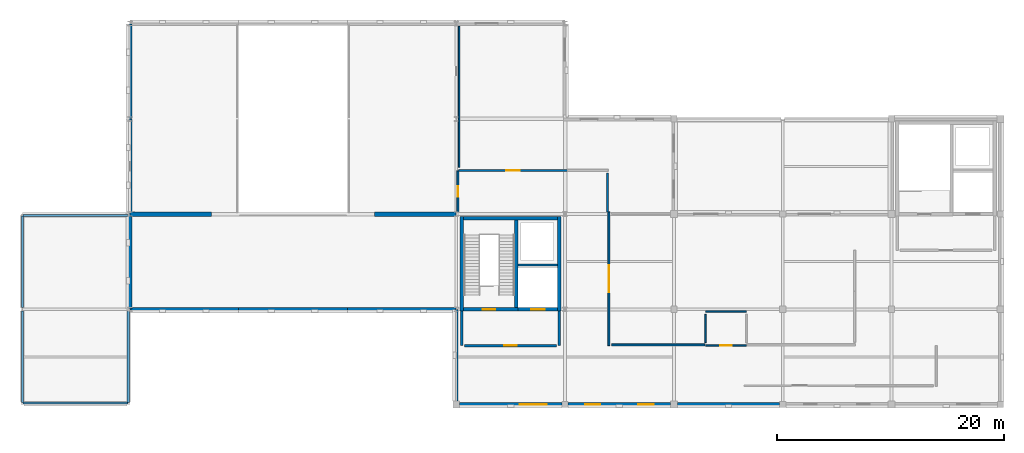
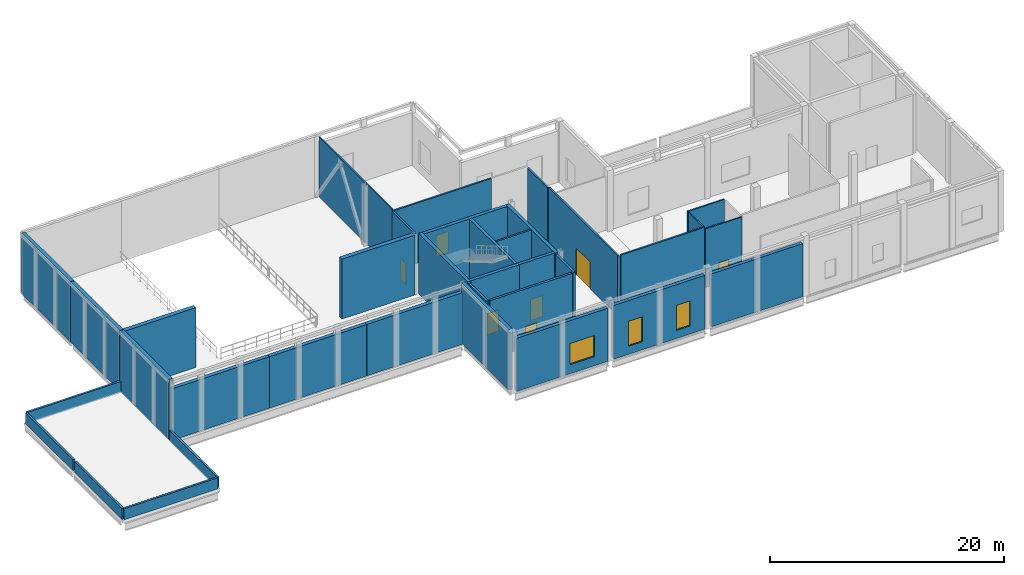
# One storey, part 5 of 9: 36 walls, 7 doors, 3 windows, 10 openings.
"""IFC4 building model written with IfcOpenShell, lengths in metres."""

from ifc_helpers import new_model, si_unit, direction, frame, frame_2d, origin, place, context, subcontext, project, spatial, rectangle, extrude, material, layer, layer_set, type_object, element, fill, save


model = new_model("IFC4")

# Units and contexts
model_context = context("Model", 3, precision=1e-05, world=origin(), true_north=direction((0.0, 1.0)))
body_context = subcontext(model_context, "Body", "Model", "MODEL_VIEW")
ifc_project = project(units=[si_unit("LENGTHUNIT", "METRE"), si_unit("AREAUNIT", "SQUARE_METRE"), si_unit("VOLUMEUNIT", "CUBIC_METRE"), si_unit("PLANEANGLEUNIT", "RADIAN"), si_unit("MASSUNIT", "GRAM", prefix="KILO")], contexts=[model_context])

# Site, building, storey
site_placement = place(None, origin())
site = spatial("IfcSite", under=ifc_project, at=site_placement, CompositionType="ELEMENT")
building_placement = place(site_placement, origin())
building = spatial("IfcBuilding", under=site, at=building_placement, Name="Lornevale Opera House", CompositionType="ELEMENT")
storey_placement = place(building_placement, frame((0.0, 0.0, 24.60009765625)))
storey = spatial("IfcBuildingStorey", under=building, at=storey_placement, Name="L06", CompositionType="ELEMENT", Elevation=24.60009765625)

# Wall
ifc_material_1 = material(Name="Queenston Buff Limestone Ashlar Masonry (25 MPa)", Category="masonry")
ifc_layer_1 = layer(ifc_material_1, 0.324951171875)
ifc_layer_set_1 = layer_set([ifc_layer_1], Name="Queenston Buff Limestone Ashlar Masonry (25 MPa)")
wall_type_1 = type_object("IfcWallType", Name="Backstage Limestone Facade Wall 325", PredefinedType="SOLIDWALL", material=ifc_layer_set_1)
wall_1_placement = place(storey_placement, frame((124.52490234375, 50.39990234375, 0.0), z_axis=(0.0, 0.0, 1.0), x_axis=(-1.0, 0.0, 0.0)))
element("IfcWall", 1, at=wall_1_placement, inside=storey, type_object=wall_type_1, Name="Backstage Limestone Facade Wall 325 WL-EXT-0310", PredefinedType="SOLIDWALL", context=body_context, shape_type="SweptSolid", body=[
    extrude(rectangle(XDim=9.02490234375, YDim=0.324951171875, at=frame_2d((4.512451171875, 0.0))), origin(), (0.0, 0.0, 1.0), 5.52880859375),
])

# Wall, opening, door
ifc_material_2 = material(Name="Concrete 40 MPa (CSA A23.1 C-1)", Category="concrete")
ifc_layer_2 = layer(ifc_material_2, 0.320068359375)
ifc_layer_set_2 = layer_set([ifc_layer_2], Name="Concrete 40 MPa (CSA A23.1 C-1)")
wall_type_2 = type_object("IfcWallType", Name="Core Shear Wall 320", PredefinedType="SHEAR", material=ifc_layer_set_2)
wall_2_placement = place(storey_placement, frame((96.659912109375, 58.800048828125, 0.0), z_axis=(0.0, 0.0, 1.0), x_axis=(1.0, 0.0, 0.0)))
wall_2 = element("IfcWall", 2, at=wall_2_placement, inside=storey, type_object=wall_type_2, Name="Stagehouse Firefighter Core West Core Shear Wall 320 WL-COR-0246", PredefinedType="SHEAR", context=body_context, shape_type="SweptSolid", body=[
    extrude(rectangle(XDim=4.780029296875, YDim=0.320068359375, at=frame_2d((2.39013671875, 0.0))), origin(), (0.0, 0.0, 1.0), 6.2998046875),
])
opening_1_placement = place(wall_2_placement, frame((1.68994140625, 0.0, 0.0)))
opening_1 = element("IfcOpeningElement", 3, at=opening_1_placement, cuts=wall_2, Name="Opening DR-T11", PredefinedType="OPENING", context=body_context, shape_type="SweptSolid", body=[
    extrude(rectangle(XDim=1.10009765625, YDim=2.199951171875, at=frame_2d((0.550048828125, 1.10009765625))), frame((0.0, 0.169921875, 0.0), z_axis=(0.0, -1.0, 0.0), x_axis=(1.0, 0.0, 0.0)), (0.0, 0.0, 1.0), 0.340087890625),
])
ifc_material_3 = material(Name="Painted Hollow Metal Door Steel", Category="steel")
ifc_layer_3 = layer(ifc_material_3, 2.199951171875)
ifc_layer_set_3 = layer_set([ifc_layer_3], Name="Painted Hollow Metal Door Steel")
door_type_1 = type_object("IfcDoorType", Name="Protected Exit Stair Door R 1100x2200", OperationType="NOTDEFINED", PredefinedType="DOOR", material=ifc_layer_set_3)
door_1_placement = place(opening_1_placement, origin())
door_1 = element("IfcDoor", 4, at=door_1_placement, inside=storey, type_object=door_type_1, Name="C6 Stair Door L06", OperationType="SINGLE_SWING_RIGHT", OverallHeight=2.199951171875, OverallWidth=1.10009765625, PredefinedType="DOOR", context=body_context, shape_type="SweptSolid", body=[
    extrude(rectangle(XDim=1.10009765625, YDim=2.199951171875, at=frame_2d((0.550048828125, 1.10009765625))), frame((0.0, 0.02490234375, 0.0), z_axis=(0.0, -1.0, 0.0), x_axis=(1.0, 0.0, 0.0)), (0.0, 0.0, 1.0), 0.050048828125),
])
fill(opening_1, door_1)

# Walls
wall_3_placement = place(storey_placement, frame((104.93994140625, 66.840087890625, 0.0), z_axis=(0.0, 0.0, 1.0), x_axis=(-1.0, 0.0, 0.0)))
element("IfcWall", 5, at=wall_3_placement, inside=storey, type_object=wall_type_2, Name="Stagehouse Firefighter Core West Core Shear Wall 320 WL-COR-0248", PredefinedType="SHEAR", context=body_context, shape_type="SweptSolid", body=[
    extrude(rectangle(XDim=8.280029296875, YDim=0.320068359375, at=frame_2d((4.14013671875, 0.0))), origin(), (0.0, 0.0, 1.0), 6.2998046875),
])
for number, where, z_axis, x_axis, name in (
    (6, (96.5, 67.0, 0.0), (0.0, 0.0, 1.0), (0.0, -1.0, 0.0), "Stagehouse Firefighter Core West Core Shear Wall 320 WL-COR-0249"),
    (7, (105.10009765625, 58.639892578125, 0.0), (0.0, 0.0, 1.0), (0.0, 1.0, 0.0), "Stagehouse Firefighter Core West Core Shear Wall 320 WL-COR-0250"),
):
    element("IfcWall", number, at=place(storey_placement, frame(where, z_axis=z_axis, x_axis=x_axis)), inside=storey, type_object=wall_type_2, Name=name, PredefinedType="SHEAR", context=body_context, shape_type="SweptSolid", body=[
        extrude(rectangle(XDim=8.360107421875, YDim=0.320068359375, at=frame_2d((4.18017578125, 0.0))), origin(), (0.0, 0.0, 1.0), 6.2998046875),
    ])

# Wall, opening, door
ifc_material_4 = material(Name="Acoustic Mineral-Core Gypsum Partition", Category="gypsum")
ifc_layer_4 = layer(ifc_material_4, 0.1650390625)
ifc_layer_set_4 = layer_set([ifc_layer_4], Name="Acoustic Mineral-Core Gypsum Partition")
wall_type_3 = type_object("IfcWallType", Name="Corridor Rated Partition 165", PredefinedType="PARTITIONING", material=ifc_layer_set_4)
wall_4_placement = place(storey_placement, frame((96.139892578125, 67.39990234375, 0.0), z_axis=(0.0, 0.0, 1.0), x_axis=(0.0, 1.0, 0.0)))
wall_4 = element("IfcWall", 8, at=wall_4_placement, inside=storey, type_object=wall_type_3, Name="L06 Partition WL-INT-0905", PredefinedType="PARTITIONING", context=body_context, shape_type="SweptSolid", body=[
    extrude(rectangle(XDim=3.60009765625, YDim=0.1650390625, at=frame_2d((1.800048828125, 0.0))), origin(), (0.0, 0.0, 1.0), 6.25),
])
opening_2_placement = place(wall_4_placement, frame((1.324951171875, 0.0, 0.0)))
opening_2 = element("IfcOpeningElement", 9, at=opening_2_placement, cuts=wall_4, Name="Opening DR-T20", PredefinedType="OPENING", context=body_context, shape_type="SweptSolid", body=[
    extrude(rectangle(XDim=0.949951171875, YDim=2.14990234375, at=frame_2d((0.47509765625, 1.074951171875))), frame((0.0, 0.092529296875, 0.0), z_axis=(0.0, -1.0, 0.0), x_axis=(1.0, 0.0, 0.0)), (0.0, 0.0, 1.0), 0.18505859375),
])
ifc_material_5 = material(Name="White Oak Acoustic Panelling", Category="wood")
ifc_layer_5 = layer(ifc_material_5, 2.14990234375)
ifc_layer_set_5 = layer_set([ifc_layer_5], Name="White Oak Acoustic Panelling")
door_type_2 = type_object("IfcDoorType", Name="Soloist Dressing Door R 950x2150", OperationType="NOTDEFINED", PredefinedType="DOOR", material=ifc_layer_set_5)
door_2_placement = place(opening_2_placement, origin())
door_2 = element("IfcDoor", 10, at=door_2_placement, inside=storey, type_object=door_type_2, Name="Fly Tower Gridiron & Winch Gallery Door", OperationType="SINGLE_SWING_RIGHT", OverallHeight=2.14990234375, OverallWidth=0.949951171875, PredefinedType="DOOR", context=body_context, shape_type="SweptSolid", body=[
    extrude(rectangle(XDim=0.949951171875, YDim=2.14990234375, at=frame_2d((0.47509765625, 1.074951171875))), frame((0.0, 0.02490234375, 0.0), z_axis=(0.0, -1.0, 0.0), x_axis=(1.0, 0.0, 0.0)), (0.0, 0.0, 1.0), 0.050048828125),
])
fill(opening_2, door_2)

wall_5_placement = place(storey_placement, frame((109.4599609375, 55.60009765625, 0.0), z_axis=(0.0, 0.0, 1.0), x_axis=(0.0, 1.0, 0.0)))
wall_5 = element("IfcWall", 11, at=wall_5_placement, inside=storey, type_object=wall_type_3, Name="L06 Partition WL-INT-0906", PredefinedType="PARTITIONING", context=body_context, shape_type="SweptSolid", body=[
    extrude(rectangle(XDim=11.7998046875, YDim=0.1650390625, at=frame_2d((5.89990234375, 0.0))), origin(), (0.0, 0.0, 1.0), 6.27978515625),
])
opening_3_placement = place(wall_5_placement, frame((4.699951171875, 0.0, 0.0)))
opening_3 = element("IfcOpeningElement", 12, at=opening_3_placement, cuts=wall_5, Name="Opening DR-T16", PredefinedType="OPENING", context=body_context, shape_type="SweptSolid", body=[
    extrude(rectangle(XDim=2.39990234375, YDim=2.800048828125, at=frame_2d((1.199951171875, 1.39990234375))), frame((0.0, 0.092529296875, 0.0), z_axis=(0.0, -1.0, 0.0), x_axis=(1.0, 0.0, 0.0)), (0.0, 0.0, 1.0), 0.18505859375),
])
ifc_layer_6 = layer(ifc_material_3, 2.800048828125)
ifc_layer_set_6 = layer_set([ifc_layer_6], Name="Painted Hollow Metal Door Steel")
door_type_3 = type_object("IfcDoorType", Name="Stage Scenery Double Door 2400x2800", OperationType="NOTDEFINED", PredefinedType="DOOR", material=ifc_layer_set_6)
door_3_placement = place(opening_3_placement, origin())
door_3 = element("IfcDoor", 13, at=door_3_placement, inside=storey, type_object=door_type_3, Name="Stagehouse Smoke-Exhaust AHU Plant Door", OperationType="DOUBLE_SWING_LEFT", OverallHeight=2.800048828125, OverallWidth=2.39990234375, PredefinedType="DOOR", context=body_context, shape_type="SweptSolid", body=[
    extrude(rectangle(XDim=2.39990234375, YDim=2.800048828125, at=frame_2d((1.199951171875, 1.39990234375))), frame((0.0, 0.02490234375, 0.0), z_axis=(0.0, -1.0, 0.0), x_axis=(1.0, 0.0, 0.0)), (0.0, 0.0, 1.0), 0.050048828125),
])
fill(opening_3, door_3)

# Wall
wall_6_placement = place(storey_placement, frame((109.7099609375, 55.659912109375, 0.0), z_axis=(0.0, 0.0, 1.0), x_axis=(1.0, 0.0, 0.0)))
element("IfcWall", 14, at=wall_6_placement, inside=storey, type_object=wall_type_3, Name="L06 Partition WL-INT-0907", PredefinedType="PARTITIONING", context=body_context, shape_type="SweptSolid", body=[
    extrude(rectangle(XDim=8.22998046875, YDim=0.1650390625, at=frame_2d((4.114990234375, 0.0))), origin(), (0.0, 0.0, 1.0), 6.27978515625),
])

# Wall, opening, door
wall_7_placement = place(storey_placement, frame((96.199951171875, 71.06005859375, 0.0), z_axis=(0.0, 0.0, 1.0), x_axis=(1.0, 0.0, 0.0)))
wall_7 = element("IfcWall", 15, at=wall_7_placement, inside=storey, type_object=wall_type_3, Name="L06 Partition WL-INT-0915", PredefinedType="PARTITIONING", context=body_context, shape_type="SweptSolid", body=[
    extrude(rectangle(XDim=9.60009765625, YDim=0.1650390625, at=frame_2d((4.800048828125, 0.0))), origin(), (0.0, 0.0, 1.0), 6.27978515625),
])
opening_4_placement = place(wall_7_placement, frame((4.199951171875, 0.0, 0.0)))
opening_4 = element("IfcOpeningElement", 16, at=opening_4_placement, cuts=wall_7, Name="Opening DR-T24", PredefinedType="OPENING", context=body_context, shape_type="SweptSolid", body=[
    extrude(rectangle(XDim=1.199951171875, YDim=2.199951171875, at=frame_2d((0.60009765625, 1.10009765625))), frame((0.0, 0.092529296875, 0.0), z_axis=(0.0, -1.0, 0.0), x_axis=(1.0, 0.0, 0.0)), (0.0, 0.0, 1.0), 0.18505859375),
])
ifc_layer_7 = layer(ifc_material_3, 2.199951171875)
ifc_layer_set_7 = layer_set([ifc_layer_7], Name="Painted Hollow Metal Door Steel")
door_type_4 = type_object("IfcDoorType", Name="Plant Room Rated Door R 1200x2200", OperationType="NOTDEFINED", PredefinedType="DOOR", material=ifc_layer_set_7)
door_4_placement = place(opening_4_placement, origin())
door_4 = element("IfcDoor", 17, at=door_4_placement, inside=storey, type_object=door_type_4, Name="Rigging Winch & Control Plant Door", OperationType="SINGLE_SWING_RIGHT", OverallHeight=2.199951171875, OverallWidth=1.199951171875, PredefinedType="DOOR", context=body_context, shape_type="SweptSolid", body=[
    extrude(rectangle(XDim=1.199951171875, YDim=2.199951171875, at=frame_2d((0.60009765625, 1.10009765625))), frame((0.0, 0.02490234375, 0.0), z_axis=(0.0, -1.0, 0.0), x_axis=(1.0, 0.0, 0.0)), (0.0, 0.0, 1.0), 0.050048828125),
])
fill(opening_4, door_4)

# Walls
wall_8_placement = place(storey_placement, frame((109.340087890625, 67.39990234375, 0.0), z_axis=(0.0, 0.0, 1.0), x_axis=(0.0, 1.0, 0.0)))
element("IfcWall", 18, at=wall_8_placement, inside=storey, type_object=wall_type_3, Name="L06 Partition WL-INT-0917", PredefinedType="PARTITIONING", context=body_context, shape_type="SweptSolid", body=[
    extrude(rectangle(XDim=3.41015625, YDim=0.1650390625, at=frame_2d((1.705078125, 0.0))), origin(), (0.0, 0.0, 1.0), 6.27978515625),
])
ifc_layer_8 = layer(ifc_material_4, 0.125)
ifc_layer_set_8 = layer_set([ifc_layer_8], Name="Acoustic Mineral-Core Gypsum Partition")
wall_type_4 = type_object("IfcWallType", Name="Dressing Suite Partition 125", PredefinedType="PARTITIONING", material=ifc_layer_set_8)
wall_9_placement = place(storey_placement, frame((96.260009765625, 71.31005859375, 0.0), z_axis=(0.0, 0.0, 1.0), x_axis=(0.0, 1.0, 0.0)))
element("IfcWall", 19, at=wall_9_placement, inside=storey, type_object=wall_type_4, Name="L06 Partition WL-INT-0918", PredefinedType="PARTITIONING", context=body_context, shape_type="SweptSolid", body=[
    extrude(rectangle(XDim=12.43994140625, YDim=0.125, at=frame_2d((6.219970703125, 0.0))), origin(), (0.0, 0.0, 1.0), 6.25),
])

# Wall, opening, door
ifc_layer_9 = layer(ifc_material_2, 0.280029296875)
ifc_layer_set_9 = layer_set([ifc_layer_9], Name="Concrete 40 MPa (CSA A23.1 C-1)")
wall_type_5 = type_object("IfcWallType", Name="Elevator Shaft Wall 280", PredefinedType="SHEAR", material=ifc_layer_set_9)
wall_10_placement = place(storey_placement, frame((101.43994140625, 58.800048828125, 0.0), z_axis=(0.0, 0.0, 1.0), x_axis=(1.0, 0.0, 0.0)))
wall_10 = element("IfcWall", 20, at=wall_10_placement, inside=storey, type_object=wall_type_5, Name="Stagehouse Firefighter Core West Elevator Shaft Wall 280 WL-COR-0247", PredefinedType="SHEAR", context=body_context, shape_type="SweptSolid", body=[
    extrude(rectangle(XDim=3.5, YDim=0.280029296875, at=frame_2d((1.75, 0.0))), origin(), (0.0, 0.0, 1.0), 6.2998046875),
])
opening_5_placement = place(wall_10_placement, frame((1.159912109375, 0.0, 0.0)))
opening_5 = element("IfcOpeningElement", 21, at=opening_5_placement, cuts=wall_10, Name="Opening DR-T26", PredefinedType="OPENING", context=body_context, shape_type="SweptSolid", body=[
    extrude(rectangle(XDim=1.199951171875, YDim=2.199951171875, at=frame_2d((0.60009765625, 1.10009765625))), frame((0.0, 0.14990234375, 0.0), z_axis=(0.0, -1.0, 0.0), x_axis=(1.0, 0.0, 0.0)), (0.0, 0.0, 1.0), 0.300048828125),
])
ifc_layer_10 = layer(ifc_material_3, 2.199951171875)
ifc_layer_set_10 = layer_set([ifc_layer_10], Name="Painted Hollow Metal Door Steel")
door_type_5 = type_object("IfcDoorType", Name="Firefighter Lift Landing Door 1200x2200", OperationType="NOTDEFINED", PredefinedType="DOOR", material=ifc_layer_set_10)
door_5_placement = place(opening_5_placement, origin())
door_5 = element("IfcDoor", 22, at=door_5_placement, inside=storey, type_object=door_type_5, Name="L-FF1 Landing Door L06", OperationType="SLIDING_TO_RIGHT", OverallHeight=2.199951171875, OverallWidth=1.199951171875, PredefinedType="DOOR", context=body_context, shape_type="SweptSolid", body=[
    extrude(rectangle(XDim=1.199951171875, YDim=2.199951171875, at=frame_2d((0.60009765625, 1.10009765625))), frame((0.0, 0.02490234375, 0.0), z_axis=(0.0, -1.0, 0.0), x_axis=(1.0, 0.0, 0.0)), (0.0, 0.0, 1.0), 0.050048828125),
])
fill(opening_5, door_5)

# Walls
wall_11_placement = place(storey_placement, frame((101.300048828125, 58.9599609375, 0.0), z_axis=(0.0, 0.0, 1.0), x_axis=(0.0, 1.0, 0.0)))
element("IfcWall", 23, at=wall_11_placement, inside=storey, type_object=wall_type_5, Name="Stagehouse Firefighter Core West Elevator Shaft Wall 280 WL-COR-0251", PredefinedType="SHEAR", context=body_context, shape_type="SweptSolid", body=[
    extrude(rectangle(XDim=7.719970703125, YDim=0.280029296875, at=frame_2d((3.85986328125, 0.0))), origin(), (0.0, 0.0, 1.0), 6.2998046875),
])
ifc_material_6 = material(Name="Concrete 35 MPa (CSA A23.1 N)", Category="concrete")
ifc_layer_11 = layer(ifc_material_6, 0.219970703125)
ifc_layer_set_11 = layer_set([ifc_layer_11], Name="Concrete 35 MPa (CSA A23.1 N)")
wall_type_6 = type_object("IfcWallType", Name="Firefighter Vestibule Wall 220", PredefinedType="SOLIDWALL", material=ifc_layer_set_11)
for number, where, z_axis, x_axis, name in (
    (24, (96.5, 55.60009765625, 0.0), (0.0, 0.0, 1.0), (0.0, 1.0, 0.0), "C6 Vestibule West Wall WL-INT-0418"),
    (25, (105.10009765625, 55.60009765625, 0.0), (0.0, 0.0, 1.0), (0.0, 1.0, 0.0), "C6 Vestibule East Wall WL-INT-0419"),
):
    element("IfcWall", number, at=place(storey_placement, frame(where, z_axis=z_axis, x_axis=x_axis)), inside=storey, type_object=wall_type_6, Name=name, PredefinedType="SOLIDWALL", context=body_context, shape_type="SweptSolid", body=[
        extrude(rectangle(XDim=3.039794921875, YDim=0.219970703125, at=frame_2d((1.52001953125, 0.0))), origin(), (0.0, 0.0, 1.0), 6.119873046875),
    ])

# Wall, opening, door
wall_12_placement = place(storey_placement, frame((96.75, 55.60009765625, 0.0), z_axis=(0.0, 0.0, 1.0), x_axis=(1.0, 0.0, 0.0)))
wall_12 = element("IfcWall", 26, at=wall_12_placement, inside=storey, type_object=wall_type_6, Name="C6 Vestibule South Wall WL-INT-0420", PredefinedType="SOLIDWALL", context=body_context, shape_type="SweptSolid", body=[
    extrude(rectangle(XDim=8.10009765625, YDim=0.219970703125, at=frame_2d((4.050048828125, 0.0))), origin(), (0.0, 0.0, 1.0), 6.119873046875),
])
opening_6_placement = place(wall_12_placement, frame((3.5, 0.0, 0.0)))
opening_6 = element("IfcOpeningElement", 27, at=opening_6_placement, cuts=wall_12, Name="Opening DR-T13", PredefinedType="OPENING", context=body_context, shape_type="SweptSolid", body=[
    extrude(rectangle(XDim=1.10009765625, YDim=2.199951171875, at=frame_2d((0.550048828125, 1.10009765625))), frame((0.0, 0.119873046875, 0.0), z_axis=(0.0, -1.0, 0.0), x_axis=(1.0, 0.0, 0.0)), (0.0, 0.0, 1.0), 0.239990234375),
])
ifc_layer_12 = layer(ifc_material_3, 2.199951171875)
ifc_layer_set_12 = layer_set([ifc_layer_12], Name="Painted Hollow Metal Door Steel")
door_type_6 = type_object("IfcDoorType", Name="Firefighter Vestibule Door 1100x2200", OperationType="NOTDEFINED", PredefinedType="DOOR", material=ifc_layer_set_12)
door_6_placement = place(opening_6_placement, origin())
door_6 = element("IfcDoor", 28, at=door_6_placement, inside=storey, type_object=door_type_6, Name="C6 Firefighter Vestibule Door L06", OperationType="SINGLE_SWING_LEFT", OverallHeight=2.199951171875, OverallWidth=1.10009765625, PredefinedType="DOOR", context=body_context, shape_type="SweptSolid", body=[
    extrude(rectangle(XDim=1.10009765625, YDim=2.199951171875, at=frame_2d((0.550048828125, 1.10009765625))), frame((0.0, 0.02490234375, 0.0), z_axis=(0.0, -1.0, 0.0), x_axis=(1.0, 0.0, 0.0)), (0.0, 0.0, 1.0), 0.050048828125),
])
fill(opening_6, door_6)

# Walls
ifc_material_7 = material(Name="Precast Concrete 40 MPa (CSA A23.1 C-1)", Category="concrete")
ifc_layer_13 = layer(ifc_material_7, 0.360107421875)
ifc_layer_set_13 = layer_set([ifc_layer_13], Name="Precast Concrete 40 MPa (CSA A23.1 C-1)")
wall_type_7 = type_object("IfcWallType", Name="Fly Tower Acoustic Precast Wall 360", PredefinedType="SOLIDWALL", material=ifc_layer_set_13)
wall_13_placement = place(storey_placement, frame((76.794921875, 58.800048828125, 0.0), z_axis=(0.0, 0.0, 1.0), x_axis=(-1.0, 0.0, 0.0)))
element("IfcWall", 29, at=wall_13_placement, inside=storey, type_object=wall_type_7, Name="Fly Tower Acoustic Precast Wall 360 WL-EXT-0294", PredefinedType="SOLIDWALL", context=body_context, shape_type="SweptSolid", body=[
    extrude(rectangle(XDim=9.574951171875, YDim=0.360107421875, at=frame_2d((4.78759765625, 0.0))), origin(), (0.0, 0.0, 1.0), 5.365966796875),
])
wall_14_placement = place(storey_placement, frame((67.199951171875, 58.820068359375, 0.0), z_axis=(0.0, 0.0, 1.0), x_axis=(0.0, 1.0, 0.0)))
element("IfcWall", 30, at=wall_14_placement, inside=storey, type_object=wall_type_7, Name="Fly Tower Acoustic Precast Wall 360 WL-EXT-0295", PredefinedType="SOLIDWALL", context=body_context, shape_type="SweptSolid", body=[
    extrude(rectangle(XDim=8.35986328125, YDim=0.360107421875, at=frame_2d((4.179931640625, 0.0))), origin(), (0.0, 0.0, 1.0), 6.309814453125),
])
wall_15_placement = place(storey_placement, frame((67.199951171875, 67.219970703125, 0.0), z_axis=(0.0, 0.0, 1.0), x_axis=(0.0, 1.0, 0.0)))
element("IfcWall", 31, at=wall_15_placement, inside=storey, type_object=wall_type_7, Name="Fly Tower Acoustic Precast Wall 360 WL-EXT-0296", PredefinedType="SOLIDWALL", context=body_context, shape_type="SweptSolid", body=[
    extrude(rectangle(XDim=8.360107421875, YDim=0.360107421875, at=frame_2d((4.18017578125, 0.0))), origin(), (0.0, 0.0, 1.0), 6.309814453125),
])
wall_16_placement = place(storey_placement, frame((67.199951171875, 75.6201171875, 0.0), z_axis=(0.0, 0.0, 1.0), x_axis=(0.0, 1.0, 0.0)))
element("IfcWall", 32, at=wall_16_placement, inside=storey, type_object=wall_type_7, Name="Fly Tower Acoustic Precast Wall 360 WL-EXT-0298", PredefinedType="SOLIDWALL", context=body_context, shape_type="SweptSolid", body=[
    extrude(rectangle(XDim=8.35986328125, YDim=0.360107421875, at=frame_2d((4.179931640625, 0.0))), origin(), (0.0, 0.0, 1.0), 6.309814453125),
])
wall_17_placement = place(storey_placement, frame((86.39501953125, 58.800048828125, 0.0), z_axis=(0.0, 0.0, 1.0), x_axis=(-1.0, 0.0, 0.0)))
element("IfcWall", 33, at=wall_17_placement, inside=storey, type_object=wall_type_7, Name="Fly Tower Acoustic Precast Wall 360 WL-EXT-0299", PredefinedType="SOLIDWALL", context=body_context, shape_type="SweptSolid", body=[
    extrude(rectangle(XDim=9.590087890625, YDim=0.360107421875, at=frame_2d((4.794921875, 0.0))), origin(), (0.0, 0.0, 1.0), 5.365966796875),
])
wall_18_placement = place(storey_placement, frame((95.97998046875, 58.800048828125, 0.0), z_axis=(0.0, 0.0, 1.0), x_axis=(-1.0, 0.0, 0.0)))
element("IfcWall", 34, at=wall_18_placement, inside=storey, type_object=wall_type_7, Name="Fly Tower Acoustic Precast Wall 360 WL-EXT-0301", PredefinedType="SOLIDWALL", context=body_context, shape_type="SweptSolid", body=[
    extrude(rectangle(XDim=9.574951171875, YDim=0.360107421875, at=frame_2d((4.78759765625, 0.0))), origin(), (0.0, 0.0, 1.0), 5.365966796875),
])
ifc_layer_14 = layer(ifc_material_7, 0.195068359375)
ifc_layer_set_14 = layer_set([ifc_layer_14], Name="Precast Concrete 40 MPa (CSA A23.1 C-1)")
wall_type_8 = type_object("IfcWallType", Name="Green Roof Parapet Wall 195", PredefinedType="PARAPET", material=ifc_layer_set_14)
wall_19_placement = place(storey_placement, frame((57.72998046875, 50.56005859375, 0.0), z_axis=(0.0, 0.0, 1.0), x_axis=(0.0, 1.0, 0.0)))
element("IfcWall", 35, at=wall_19_placement, inside=storey, type_object=wall_type_8, Name="Green Roof Parapet Wall 195 0482", PredefinedType="PARAPET", context=body_context, shape_type="SweptSolid", body=[
    extrude(rectangle(XDim=8.079833984375, YDim=0.195068359375, at=frame_2d((4.0400390625, 0.0))), origin(), (0.0, 0.0, 1.0), 1.14990234375),
])
wall_20_placement = place(storey_placement, frame((57.72998046875, 58.9599609375, 0.0), z_axis=(0.0, 0.0, 1.0), x_axis=(0.0, 1.0, 0.0)))
element("IfcWall", 36, at=wall_20_placement, inside=storey, type_object=wall_type_8, Name="Green Roof Parapet Wall 195 0483", PredefinedType="PARAPET", context=body_context, shape_type="SweptSolid", body=[
    extrude(rectangle(XDim=8.080078125, YDim=0.195068359375, at=frame_2d((4.0400390625, 0.0))), origin(), (0.0, 0.0, 1.0), 1.14990234375),
])
wall_21_placement = place(storey_placement, frame((57.760009765625, 67.070068359375, 0.0), z_axis=(0.0, 0.0, 1.0), x_axis=(1.0, 0.0, 0.0)))
element("IfcWall", 37, at=wall_21_placement, inside=storey, type_object=wall_type_8, Name="Green Roof Parapet Wall 195 0484", PredefinedType="PARAPET", context=body_context, shape_type="SweptSolid", body=[
    extrude(rectangle(XDim=9.280029296875, YDim=0.195068359375, at=frame_2d((4.64013671875, 0.0))), origin(), (0.0, 0.0, 1.0), 1.14990234375),
])
wall_22_placement = place(storey_placement, frame((67.070068359375, 58.639892578125, 0.0), z_axis=(0.0, 0.0, 1.0), x_axis=(0.0, -1.0, 0.0)))
element("IfcWall", 38, at=wall_22_placement, inside=storey, type_object=wall_type_8, Name="Green Roof Parapet Wall 195 0485", PredefinedType="PARAPET", context=body_context, shape_type="SweptSolid", body=[
    extrude(rectangle(XDim=8.079833984375, YDim=0.195068359375, at=frame_2d((4.0400390625, 0.0))), origin(), (0.0, 0.0, 1.0), 1.14990234375),
])
wall_23_placement = place(storey_placement, frame((67.0400390625, 50.530029296875, 0.0), z_axis=(0.0, 0.0, 1.0), x_axis=(-1.0, 0.0, 0.0)))
element("IfcWall", 39, at=wall_23_placement, inside=storey, type_object=wall_type_8, Name="Green Roof Parapet Wall 195 0486", PredefinedType="PARAPET", context=body_context, shape_type="SweptSolid", body=[
    extrude(rectangle(XDim=9.280029296875, YDim=0.195068359375, at=frame_2d((4.64013671875, 0.0))), origin(), (0.0, 0.0, 1.0), 1.14990234375),
])

# Wall, opening, window
ifc_material_8 = material(Name="Credit Valley Sandstone Ashlar Masonry (25 MPa)", Category="masonry")
ifc_layer_15 = layer(ifc_material_8, 0.340087890625)
ifc_layer_set_15 = layer_set([ifc_layer_15], Name="Credit Valley Sandstone Ashlar Masonry (25 MPa)")
wall_type_9 = type_object("IfcWallType", Name="Polychrome Drum Cavity Wall 340", PredefinedType="SOLIDWALL", material=ifc_layer_set_15)
wall_24_placement = place(storey_placement, frame((105.324951171875, 50.39990234375, 0.0), z_axis=(0.0, 0.0, 1.0), x_axis=(-1.0, 0.0, 0.0)))
wall_24 = element("IfcWall", 40, at=wall_24_placement, inside=storey, type_object=wall_type_9, Name="Polychrome Drum Cavity Wall 340 WL-EXT-0303", PredefinedType="SOLIDWALL", context=body_context, shape_type="SweptSolid", body=[
    extrude(rectangle(XDim=9.02490234375, YDim=0.340087890625, at=frame_2d((4.512451171875, 0.0))), origin(), (0.0, 0.0, 1.0), 5.52880859375),
])
opening_7_placement = place(wall_24_placement, frame((1.326904296875, 0.0, 0.949951171875)))
opening_7 = element("IfcOpeningElement", 41, at=opening_7_placement, cuts=wall_24, Name="Opening WN-T08", PredefinedType="OPENING", context=body_context, shape_type="SweptSolid", body=[
    extrude(rectangle(XDim=2.39990234375, YDim=2.199951171875, at=frame_2d((1.199951171875, 1.10009765625))), frame((0.0, 0.179931640625, 0.0), z_axis=(0.0, -1.0, 0.0), x_axis=(1.0, 0.0, 0.0)), (0.0, 0.0, 1.0), 0.360107421875),
])
ifc_material_9 = material(Name="Triple Low-E Insulated Glazing", Category="glass")
ifc_layer_16 = layer(ifc_material_9, 0.06005859375)
ifc_layer_set_16 = layer_set([ifc_layer_16], Name="Triple Low-E Insulated Glazing")
window_type_1 = type_object("IfcWindowType", Name="Conservatory Window 2400x2200", PartitioningType="NOTDEFINED", PredefinedType="WINDOW", material=ifc_layer_set_16)
window_1_placement = place(opening_7_placement, origin())
window_1 = element("IfcWindow", 42, at=window_1_placement, inside=storey, type_object=window_type_1, Name="Conservatory Window 2400x2200 WN-0122", OverallHeight=2.199951171875, OverallWidth=2.39990234375, PartitioningType="SINGLE_PANEL", PredefinedType="WINDOW", context=body_context, shape_type="SweptSolid", body=[
    extrude(rectangle(XDim=2.39990234375, YDim=2.199951171875, at=frame_2d((1.199951171875, 1.10009765625))), frame((0.0, 0.030029296875, 0.0), z_axis=(0.0, -1.0, 0.0), x_axis=(1.0, 0.0, 0.0)), (0.0, 0.0, 1.0), 0.06005859375),
])
fill(opening_7, window_1)

# Wall
wall_25_placement = place(storey_placement, frame((96.0, 50.699951171875, 0.0), z_axis=(0.0, 0.0, 1.0), x_axis=(0.0, 1.0, 0.0)))
element("IfcWall", 43, at=wall_25_placement, inside=storey, type_object=wall_type_9, Name="Polychrome Drum Cavity Wall 340 WL-EXT-0304", PredefinedType="SOLIDWALL", context=body_context, shape_type="SweptSolid", body=[
    extrude(rectangle(XDim=8.080078125, YDim=0.340087890625, at=frame_2d((4.0400390625, 0.0))), origin(), (0.0, 0.0, 1.0), 6.309814453125),
])

# Wall, openings, windows
wall_26_placement = place(storey_placement, frame((114.89990234375, 50.39990234375, 0.0), z_axis=(0.0, 0.0, 1.0), x_axis=(-1.0, 0.0, 0.0)))
wall_26 = element("IfcWall", 44, at=wall_26_placement, inside=storey, type_object=wall_type_9, Name="Polychrome Drum Cavity Wall 340 WL-EXT-0307", PredefinedType="SOLIDWALL", context=body_context, shape_type="SweptSolid", body=[
    extrude(rectangle(XDim=9.02490234375, YDim=0.340087890625, at=frame_2d((4.512451171875, 0.0))), origin(), (0.0, 0.0, 1.0), 5.60693359375),
])
opening_8_placement = place(wall_26_placement, frame((1.490966796875, 0.0, 0.85009765625)))
opening_8 = element("IfcOpeningElement", 45, at=opening_8_placement, cuts=wall_26, Name="Opening WN-T14", PredefinedType="OPENING", context=body_context, shape_type="SweptSolid", body=[
    extrude(rectangle(XDim=1.35009765625, YDim=2.60009765625, at=frame_2d((0.675048828125, 1.300048828125))), frame((0.0, 0.179931640625, 0.0), z_axis=(0.0, -1.0, 0.0), x_axis=(1.0, 0.0, 0.0)), (0.0, 0.0, 1.0), 0.360107421875),
])
opening_9_placement = place(wall_26_placement, frame((6.18408203125, 0.0, 0.85009765625)))
opening_9 = element("IfcOpeningElement", 46, at=opening_9_placement, cuts=wall_26, Name="Opening WN-T14", PredefinedType="OPENING", context=body_context, shape_type="SweptSolid", body=[
    extrude(rectangle(XDim=1.35009765625, YDim=2.60009765625, at=frame_2d((0.675048828125, 1.300048828125))), frame((0.0, 0.179931640625, 0.0), z_axis=(0.0, -1.0, 0.0), x_axis=(1.0, 0.0, 0.0)), (0.0, 0.0, 1.0), 0.360107421875),
])
ifc_layer_17 = layer(ifc_material_9, 0.06005859375)
ifc_layer_set_17 = layer_set([ifc_layer_17], Name="Triple Low-E Insulated Glazing")
window_type_2 = type_object("IfcWindowType", Name="Chamber Gallery Window 1350x2600", PartitioningType="NOTDEFINED", PredefinedType="WINDOW", material=ifc_layer_set_17)
window_2_placement = place(opening_8_placement, origin())
window_2 = element("IfcWindow", 47, at=window_2_placement, inside=storey, type_object=window_type_2, Name="Chamber Gallery Window 1350x2600 WN-0125", OverallHeight=2.60009765625, OverallWidth=1.35009765625, PartitioningType="SINGLE_PANEL", PredefinedType="WINDOW", context=body_context, shape_type="SweptSolid", body=[
    extrude(rectangle(XDim=1.35009765625, YDim=2.60009765625, at=frame_2d((0.675048828125, 1.300048828125))), frame((0.0, 0.030029296875, 0.0), z_axis=(0.0, -1.0, 0.0), x_axis=(1.0, 0.0, 0.0)), (0.0, 0.0, 1.0), 0.06005859375),
])
fill(opening_8, window_2)
window_3_placement = place(opening_9_placement, origin())
window_3 = element("IfcWindow", 48, at=window_3_placement, inside=storey, type_object=window_type_2, Name="Chamber Gallery Window 1350x2600 WN-0126", OverallHeight=2.60009765625, OverallWidth=1.35009765625, PartitioningType="SINGLE_PANEL", PredefinedType="WINDOW", context=body_context, shape_type="SweptSolid", body=[
    extrude(rectangle(XDim=1.35009765625, YDim=2.60009765625, at=frame_2d((0.675048828125, 1.300048828125))), frame((0.0, 0.030029296875, 0.0), z_axis=(0.0, -1.0, 0.0), x_axis=(1.0, 0.0, 0.0)), (0.0, 0.0, 1.0), 0.06005859375),
])
fill(opening_9, window_3)

# Walls
ifc_layer_18 = layer(ifc_material_2, 0.39990234375)
ifc_layer_set_18 = layer_set([ifc_layer_18], Name="Concrete 40 MPa (CSA A23.1 C-1)")
wall_type_10 = type_object("IfcWallType", Name="Proscenium Fire Wall 400", PredefinedType="SOLIDWALL", material=ifc_layer_set_18)
for number, where, z_axis, x_axis, name in (
    (49, (67.2099609375, 67.199951171875, 0.0), (0.0, 0.0, 1.0), (1.0, 0.0, 0.0), "Proscenium Fire Wall L06 0374"),
    (50, (88.800048828125, 67.199951171875, 0.0), (0.0, 0.0, 1.0), (1.0, 0.0, 0.0), "Proscenium Fire Wall L06 0375"),
):
    element("IfcWall", number, at=place(storey_placement, frame(where, z_axis=z_axis, x_axis=x_axis)), inside=storey, type_object=wall_type_10, Name=name, PredefinedType="SOLIDWALL", context=body_context, shape_type="SweptSolid", body=[
        extrude(rectangle(XDim=7.18994140625, YDim=0.39990234375, at=frame_2d((3.594970703125, 0.0))), origin(), (0.0, 0.0, 1.0), 6.239990234375),
    ])
ifc_material_10 = material(Name="Moisture-Resistant Ceramic & Gypsum Partition", Category="gypsum")
ifc_layer_19 = layer(ifc_material_10, 0.179931640625)
ifc_layer_set_19 = layer_set([ifc_layer_19], Name="Moisture-Resistant Ceramic & Gypsum Partition")
wall_type_11 = type_object("IfcWallType", Name="Riser Shaft Wall 180", PredefinedType="SOLIDWALL", material=ifc_layer_set_19)
wall_27_placement = place(storey_placement, frame((101.43994140625, 62.699951171875, 0.0), z_axis=(0.0, 0.0, 1.0), x_axis=(1.0, 0.0, 0.0)))
element("IfcWall", 51, at=wall_27_placement, inside=storey, type_object=wall_type_11, Name="Stagehouse Firefighter Core West Riser Shaft Wall 180 WL-COR-0252", PredefinedType="SOLIDWALL", context=body_context, shape_type="SweptSolid", body=[
    extrude(rectangle(XDim=3.5, YDim=0.179931640625, at=frame_2d((1.75, 0.0))), origin(), (0.0, 0.0, 1.0), 6.2998046875),
])

# Wall, opening, door
ifc_layer_20 = layer(ifc_material_10, 0.139892578125)
ifc_layer_set_20 = layer_set([ifc_layer_20], Name="Moisture-Resistant Ceramic & Gypsum Partition")
wall_type_12 = type_object("IfcWallType", Name="Washroom Moisture Partition 140", PredefinedType="PARTITIONING", material=ifc_layer_set_20)
wall_28_placement = place(storey_placement, frame((118.0, 55.60009765625, 0.0), z_axis=(0.0, 0.0, 1.0), x_axis=(1.0, 0.0, 0.0)))
wall_28 = element("IfcWall", 52, at=wall_28_placement, inside=storey, type_object=wall_type_12, Name="Gridiron Plant Accessible WC S Wall WL-INT-0520", PredefinedType="PARTITIONING", context=body_context, shape_type="SweptSolid", body=[
    extrude(rectangle(XDim=3.60009765625, YDim=0.139892578125, at=frame_2d((1.800048828125, 0.0))), origin(), (0.0, 0.0, 1.0), 6.119873046875),
])
opening_10_placement = place(wall_28_placement, frame((1.300048828125, 0.0, 0.0)))
opening_10 = element("IfcOpeningElement", 53, at=opening_10_placement, cuts=wall_28, Name="Opening DR-T23", PredefinedType="OPENING", context=body_context, shape_type="SweptSolid", body=[
    extrude(rectangle(XDim=1.0, YDim=2.14990234375, at=frame_2d((0.5, 1.074951171875))), frame((0.0, 0.079833984375, 0.0), z_axis=(0.0, -1.0, 0.0), x_axis=(1.0, 0.0, 0.0)), (0.0, 0.0, 1.0), 0.159912109375),
])
ifc_layer_21 = layer(ifc_material_5, 2.14990234375)
ifc_layer_set_21 = layer_set([ifc_layer_21], Name="White Oak Acoustic Panelling")
door_type_7 = type_object("IfcDoorType", Name="Accessible WC Door L 1000x2150", OperationType="NOTDEFINED", PredefinedType="DOOR", material=ifc_layer_set_21)
door_7_placement = place(opening_10_placement, origin())
door_7 = element("IfcDoor", 54, at=door_7_placement, inside=storey, type_object=door_type_7, Name="Gridiron Plant Accessible WC Door", OperationType="SINGLE_SWING_LEFT", OverallHeight=2.14990234375, OverallWidth=1.0, PredefinedType="DOOR", context=body_context, shape_type="SweptSolid", body=[
    extrude(rectangle(XDim=1.0, YDim=2.14990234375, at=frame_2d((0.5, 1.074951171875))), frame((0.0, 0.02490234375, 0.0), z_axis=(0.0, -1.0, 0.0), x_axis=(1.0, 0.0, 0.0)), (0.0, 0.0, 1.0), 0.050048828125),
])
fill(opening_10, door_7)

# Walls
wall_29_placement = place(storey_placement, frame((118.0, 58.60009765625, 0.0), z_axis=(0.0, 0.0, 1.0), x_axis=(1.0, 0.0, 0.0)))
element("IfcWall", 55, at=wall_29_placement, inside=storey, type_object=wall_type_12, Name="Gridiron Plant Accessible WC N Wall WL-INT-0521", PredefinedType="PARTITIONING", context=body_context, shape_type="SweptSolid", body=[
    extrude(rectangle(XDim=3.60009765625, YDim=0.139892578125, at=frame_2d((1.800048828125, 0.0))), origin(), (0.0, 0.0, 1.0), 6.119873046875),
])
wall_30_placement = place(storey_placement, frame((118.0, 55.85009765625, 0.0), z_axis=(0.0, 0.0, 1.0), x_axis=(0.0, 1.0, 0.0)))
element("IfcWall", 56, at=wall_30_placement, inside=storey, type_object=wall_type_12, Name="Gridiron Plant Accessible WC W Wall WL-INT-0522", PredefinedType="PARTITIONING", context=body_context, shape_type="SweptSolid", body=[
    extrude(rectangle(XDim=2.5, YDim=0.139892578125, at=frame_2d((1.25, 0.0))), origin(), (0.0, 0.0, 1.0), 6.119873046875),
])

save(model, "model.ifc")
